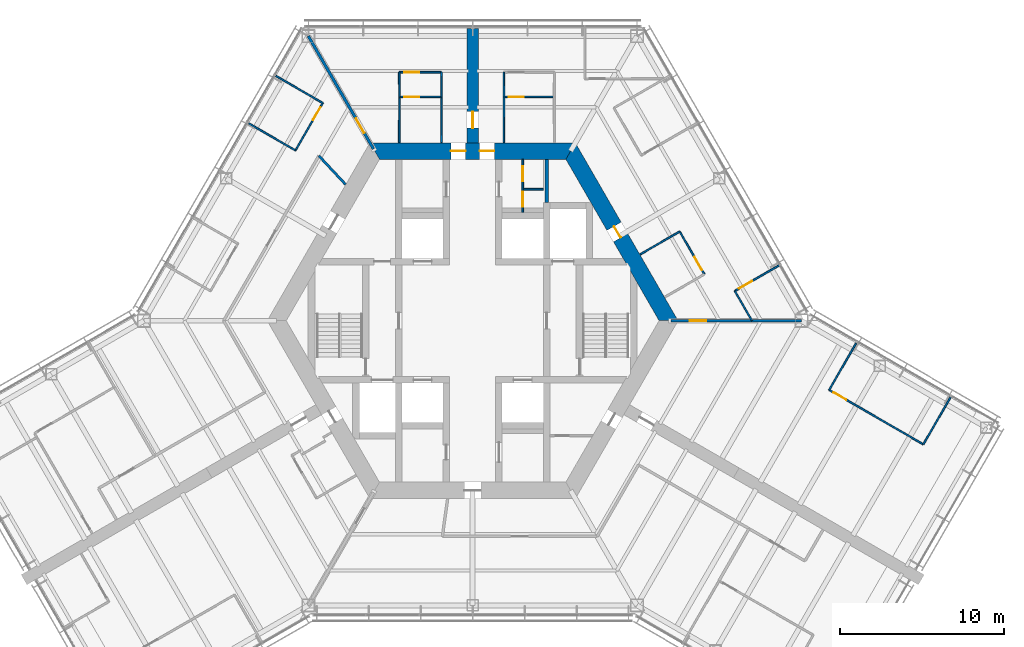
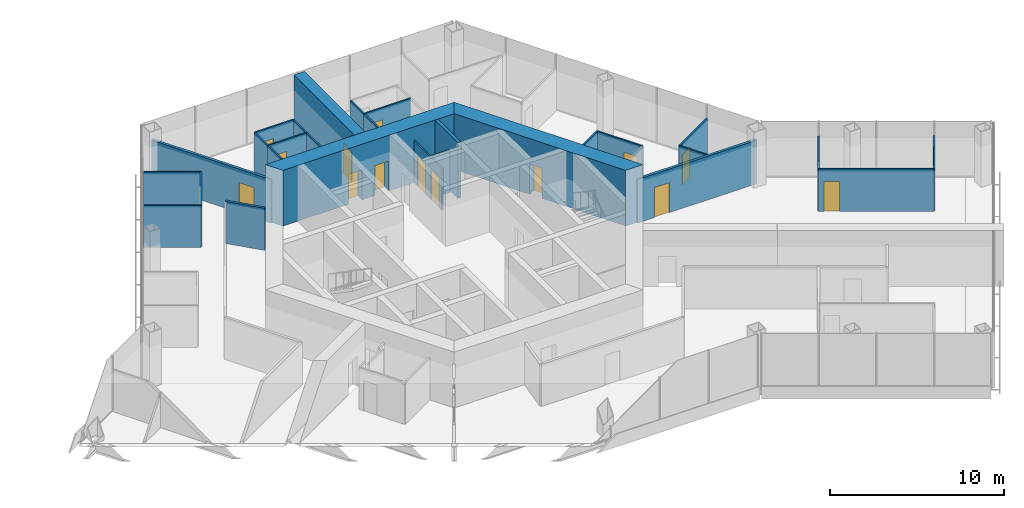
# One storey, part 14 of 18: 28 walls, 15 doors, 15 openings.
"""IFC4 building model written with IfcOpenShell, lengths in metres."""

from ifc_helpers import new_model, si_unit, direction, frame, frame_2d, origin, place, context, subcontext, project, spatial, polyline, rectangle, outline, extrude, material, layer, layer_set, type_object, element, fill, save


model = new_model("IFC4")

# Units and contexts
model_context = context("Model", 3, precision=1e-05, world=origin(), true_north=direction((0.0, 1.0)))
body_context = subcontext(model_context, "Body", "Model", "MODEL_VIEW")
ifc_project = project(units=[si_unit("LENGTHUNIT", "METRE"), si_unit("AREAUNIT", "SQUARE_METRE"), si_unit("VOLUMEUNIT", "CUBIC_METRE"), si_unit("PLANEANGLEUNIT", "RADIAN"), si_unit("MASSUNIT", "GRAM", prefix="KILO")], contexts=[model_context])

# Site, building, storey
site_placement = place(None, origin())
site = spatial("IfcSite", under=ifc_project, at=site_placement, CompositionType="ELEMENT")
building_placement = place(site_placement, origin())
building = spatial("IfcBuilding", under=site, at=building_placement, Name="Kasaneha Research Tower", CompositionType="ELEMENT")
storey_placement = place(building_placement, frame((0.0, 0.0, 148.699951171875)))
storey = spatial("IfcBuildingStorey", under=building, at=storey_placement, Name="L37", CompositionType="ELEMENT", Elevation=148.699951171875)

# Wall, opening, door
ifc_material_1 = material(Name="Concrete Fc70", Category="concrete")
ifc_layer_1 = layer(ifc_material_1, 1.0)
ifc_layer_set_1 = layer_set([ifc_layer_1], Name="Core wall 1000 Fc70")
wall_type_1 = type_object("IfcWallType", Name="Core wall 1000 Fc70", PredefinedType="SHEAR", material=ifc_layer_set_1)
wall_1_placement = place(storey_placement, frame((11.92236328125, 0.0, 0.0), z_axis=(0.0, 0.0, 1.0), x_axis=(-0.500004296715, 0.866022923061, 0.0)))
wall_1 = element("IfcWall", 1, at=wall_1_placement, inside=storey, type_object=wall_type_1, Name="Core wall 030 L37", PredefinedType="SHEAR", context=body_context, shape_type="SweptSolid", body=[
    extrude(outline(polyline([(-0.28857421875, -0.5), (5.83544921875, -0.5), (6.635498046875, -0.5), (12.2109375, -0.5), (11.6337890625, 0.5), (6.635498046875, 0.5), (5.83544921875, 0.5), (0.28857421875, 0.5), (-0.28857421875, -0.5)])), origin(), (0.0, 0.0, 1.0), 3.900146484375),
])
opening_1_placement = place(wall_1_placement, frame((5.83544921875, 0.0, 0.0)))
opening_1 = element("IfcOpeningElement", 2, at=opening_1_placement, cuts=wall_1, Name="Opening L37-D04", PredefinedType="OPENING", context=body_context, shape_type="SweptSolid", body=[
    extrude(rectangle(XDim=0.800048828125, YDim=2.10009765625, at=frame_2d((0.39990234375, 1.050048828125))), frame((0.0, 0.510009765625, 0.0), z_axis=(0.0, -1.0, 0.0), x_axis=(1.0, 0.0, 0.0)), (0.0, 0.0, 1.0), 1.02001953125),
])
ifc_material_2 = material(Name="Steel", Category="steel")
door_type_1 = type_object("IfcDoorType", Name="Riser access door FD60 800x2100", OperationType="NOTDEFINED", PredefinedType="DOOR", material=ifc_material_2)
door_1_placement = place(opening_1_placement, origin())
door_1 = element("IfcDoor", 3, at=door_1_placement, inside=storey, type_object=door_type_1, Name="Pipe riser door L37-D04", OperationType="SINGLE_SWING_RIGHT", OverallHeight=2.10009765625, OverallWidth=0.800048828125, PredefinedType="DOOR", context=body_context, shape_type="SweptSolid", body=[
    extrude(rectangle(XDim=0.800048828125, YDim=2.10009765625, at=frame_2d((0.39990234375, 1.050048828125))), frame((0.0, 0.02490234375, 0.0), z_axis=(0.0, -1.0, 0.0), x_axis=(1.0, 0.0, 0.0)), (0.0, 0.0, 1.0), 0.050048828125),
])
fill(opening_1, door_1)

# Wall, openings, doors
wall_2_placement = place(storey_placement, frame((5.961181640625, 10.324951171875, 0.0), z_axis=(0.0, 0.0, 1.0), x_axis=(-1.0, 0.0, 0.0)))
wall_2 = element("IfcWall", 4, at=wall_2_placement, inside=storey, type_object=wall_type_1, Name="Core wall 090 L37", PredefinedType="SHEAR", context=body_context, shape_type="SweptSolid", body=[
    extrude(outline(polyline([(-0.28857421875, -0.5), (4.63623046875, -0.5), (5.5361328125, -0.5), (6.38623046875, -0.5), (7.2861328125, -0.5), (12.2109375, -0.5), (11.6337890625, 0.5), (7.2861328125, 0.5), (6.38623046875, 0.5), (5.5361328125, 0.5), (4.63623046875, 0.5), (0.28857421875, 0.5), (-0.28857421875, -0.5)])), origin(), (0.0, 0.0, 1.0), 3.900146484375),
])
opening_2_placement = place(wall_2_placement, frame((6.38623046875, 0.0, 0.0)))
opening_2 = element("IfcOpeningElement", 5, at=opening_2_placement, cuts=wall_2, Name="Opening L37-D01", PredefinedType="OPENING", context=body_context, shape_type="SweptSolid", body=[
    extrude(rectangle(XDim=0.89990234375, YDim=2.10009765625, at=frame_2d((0.449951171875, 1.050048828125))), frame((0.0, 0.510009765625, 0.0), z_axis=(0.0, -1.0, 0.0), x_axis=(1.0, 0.0, 0.0)), (0.0, 0.0, 1.0), 1.02001953125),
])
opening_3_placement = place(wall_2_placement, frame((4.63623046875, 0.0, 0.0)))
opening_3 = element("IfcOpeningElement", 6, at=opening_3_placement, cuts=wall_2, Name="Opening L37-D02", PredefinedType="OPENING", context=body_context, shape_type="SweptSolid", body=[
    extrude(rectangle(XDim=0.89990234375, YDim=2.10009765625, at=frame_2d((0.449951171875, 1.050048828125))), frame((0.0, 0.510009765625, 0.0), z_axis=(0.0, -1.0, 0.0), x_axis=(1.0, 0.0, 0.0)), (0.0, 0.0, 1.0), 1.02001953125),
])
ifc_material_3 = material(Name="Steel", Category="steel")
door_type_2 = type_object("IfcDoorType", Name="Toilet door FD20 900x2100", OperationType="NOTDEFINED", PredefinedType="DOOR", material=ifc_material_3)
door_2_placement = place(opening_2_placement, origin())
door_2 = element("IfcDoor", 7, at=door_2_placement, inside=storey, type_object=door_type_2, Name="Core door north 1 L37-D01", OperationType="SINGLE_SWING_RIGHT", OverallHeight=2.10009765625, OverallWidth=0.89990234375, PredefinedType="DOOR", context=body_context, shape_type="SweptSolid", body=[
    extrude(rectangle(XDim=0.89990234375, YDim=2.10009765625, at=frame_2d((0.449951171875, 1.050048828125))), frame((0.0, 0.02490234375, 0.0), z_axis=(0.0, -1.0, 0.0), x_axis=(1.0, 0.0, 0.0)), (0.0, 0.0, 1.0), 0.050048828125),
])
fill(opening_2, door_2)
door_3_placement = place(opening_3_placement, origin())
door_3 = element("IfcDoor", 8, at=door_3_placement, inside=storey, type_object=door_type_2, Name="Core door north 2 L37-D02", OperationType="SINGLE_SWING_LEFT", OverallHeight=2.10009765625, OverallWidth=0.89990234375, PredefinedType="DOOR", context=body_context, shape_type="SweptSolid", body=[
    extrude(rectangle(XDim=0.89990234375, YDim=2.10009765625, at=frame_2d((0.449951171875, 1.050048828125))), frame((0.0, 0.02490234375, 0.0), z_axis=(0.0, -1.0, 0.0), x_axis=(1.0, 0.0, 0.0)), (0.0, 0.0, 1.0), 0.050048828125),
])
fill(opening_3, door_3)

ifc_material_4 = material(Name="Gypsum board on steel studs, one layer each side", Category="steel")
ifc_layer_2 = layer(ifc_material_4, 0.10009765625)
ifc_layer_set_2 = layer_set([ifc_layer_2], Name="Office partition 100")
wall_type_2 = type_object("IfcWallType", Name="Office partition 100", PredefinedType="PARTITIONING", material=ifc_layer_set_2)
wall_3_placement = place(storey_placement, frame((3.050048828125, 6.60009765625, 0.0), z_axis=(0.0, 0.0, 1.0), x_axis=(0.0, 1.0, 0.0)))
wall_3 = element("IfcWall", 9, at=wall_3_placement, inside=storey, type_object=wall_type_2, Name="Office partition TBF1 L37", PredefinedType="PARTITIONING", context=body_context, shape_type="SweptSolid", body=[
    extrude(rectangle(XDim=3.224853515625, YDim=0.10009765625, at=frame_2d((1.6123046875, 0.0))), origin(), (0.0, 0.0, 1.0), 2.949951171875),
])
opening_4_placement = place(wall_3_placement, frame((1.887451171875, 0.0, 0.0)))
opening_4 = element("IfcOpeningElement", 10, at=opening_4_placement, cuts=wall_3, Name="Opening L37-D20", PredefinedType="OPENING", context=body_context, shape_type="SweptSolid", body=[
    extrude(rectangle(XDim=0.89990234375, YDim=2.10009765625, at=frame_2d((0.449951171875, 1.050048828125))), frame((0.0, 0.06005859375, 0.0), z_axis=(0.0, -1.0, 0.0), x_axis=(1.0, 0.0, 0.0)), (0.0, 0.0, 1.0), 0.1201171875),
])
opening_5_placement = place(wall_3_placement, frame((0.35009765625, 0.0, 0.0)))
opening_5 = element("IfcOpeningElement", 11, at=opening_5_placement, cuts=wall_3, Name="Opening L37-D21", PredefinedType="OPENING", context=body_context, shape_type="SweptSolid", body=[
    extrude(rectangle(XDim=0.89990234375, YDim=2.10009765625, at=frame_2d((0.449951171875, 1.050048828125))), frame((0.0, 0.06005859375, 0.0), z_axis=(0.0, -1.0, 0.0), x_axis=(1.0, 0.0, 0.0)), (0.0, 0.0, 1.0), 0.1201171875),
])
ifc_material_5 = material(Name="Steel", Category="steel")
door_type_3 = type_object("IfcDoorType", Name="Toilet lobby door FD30 900x2100", OperationType="NOTDEFINED", PredefinedType="DOOR", material=ifc_material_5)
door_4_placement = place(opening_4_placement, origin())
door_4 = element("IfcDoor", 12, at=door_4_placement, inside=storey, type_object=door_type_3, Name="Women's WC door L37-D20", OperationType="SINGLE_SWING_RIGHT", OverallHeight=2.10009765625, OverallWidth=0.89990234375, PredefinedType="DOOR", context=body_context, shape_type="SweptSolid", body=[
    extrude(rectangle(XDim=0.89990234375, YDim=2.10009765625, at=frame_2d((0.449951171875, 1.050048828125))), frame((0.0, 0.02490234375, 0.0), z_axis=(0.0, -1.0, 0.0), x_axis=(1.0, 0.0, 0.0)), (0.0, 0.0, 1.0), 0.050048828125),
])
fill(opening_4, door_4)
door_5_placement = place(opening_5_placement, origin())
door_5 = element("IfcDoor", 13, at=door_5_placement, inside=storey, type_object=door_type_3, Name="Cleaner's store door L37-D21", OperationType="SINGLE_SWING_RIGHT", OverallHeight=2.10009765625, OverallWidth=0.89990234375, PredefinedType="DOOR", context=body_context, shape_type="SweptSolid", body=[
    extrude(rectangle(XDim=0.89990234375, YDim=2.10009765625, at=frame_2d((0.449951171875, 1.050048828125))), frame((0.0, 0.02490234375, 0.0), z_axis=(0.0, -1.0, 0.0), x_axis=(1.0, 0.0, 0.0)), (0.0, 0.0, 1.0), 0.050048828125),
])
fill(opening_5, door_5)

# Wall
wall_4_placement = place(storey_placement, frame((3.10009765625, 8.0, 0.0), z_axis=(0.0, 0.0, 1.0), x_axis=(1.0, 0.0, 0.0)))
element("IfcWall", 14, at=wall_4_placement, inside=storey, type_object=wall_type_2, Name="Office partition TBF2 L37", PredefinedType="PARTITIONING", context=body_context, shape_type="SweptSolid", body=[
    extrude(rectangle(XDim=1.199951171875, YDim=0.10009765625, at=frame_2d((0.60009765625, 0.0))), origin(), (0.0, 0.0, 1.0), 2.949951171875),
])

# Wall, opening, door
wall_5_placement = place(storey_placement, frame((1.89990234375, 13.6201171875, 0.0), z_axis=(0.0, 0.0, 1.0), x_axis=(1.0, 0.0, 0.0)))
wall_5 = element("IfcWall", 15, at=wall_5_placement, inside=storey, type_object=wall_type_2, Name="Office partition FAE01 L37", PredefinedType="PARTITIONING", context=body_context, shape_type="SweptSolid", body=[
    extrude(rectangle(XDim=3.071044921875, YDim=0.10009765625, at=frame_2d((1.53564453125, 0.0))), origin(), (0.0, 0.0, 1.0), 2.949951171875),
])
opening_6_placement = place(wall_5_placement, frame((0.300048828125, 0.0, 0.0)))
opening_6 = element("IfcOpeningElement", 16, at=opening_6_placement, cuts=wall_5, Name="Opening L37-D26", PredefinedType="OPENING", context=body_context, shape_type="SweptSolid", body=[
    extrude(rectangle(XDim=0.89990234375, YDim=2.10009765625, at=frame_2d((0.449951171875, 1.050048828125))), frame((0.0, 0.06005859375, 0.0), z_axis=(0.0, -1.0, 0.0), x_axis=(1.0, 0.0, 0.0)), (0.0, 0.0, 1.0), 0.1201171875),
])
door_6_placement = place(opening_6_placement, origin())
door_6 = element("IfcDoor", 17, at=door_6_placement, inside=storey, type_object=door_type_3, Name="Women's WC door L37-D26", OperationType="SINGLE_SWING_LEFT", OverallHeight=2.10009765625, OverallWidth=0.89990234375, PredefinedType="DOOR", context=body_context, shape_type="SweptSolid", body=[
    extrude(rectangle(XDim=0.89990234375, YDim=2.10009765625, at=frame_2d((0.449951171875, 1.050048828125))), frame((0.0, 0.02490234375, 0.0), z_axis=(0.0, -1.0, 0.0), x_axis=(1.0, 0.0, 0.0)), (0.0, 0.0, 1.0), 0.050048828125),
])
fill(opening_6, door_6)

# Walls
wall_6_placement = place(storey_placement, frame((1.89990234375, 10.844970703125, 0.0), z_axis=(0.0, 0.0, 1.0), x_axis=(0.001668567099, 0.999998607941, 0.0)))
element("IfcWall", 18, at=wall_6_placement, inside=storey, type_object=wall_type_2, Name="Office partition FAE02 L37", PredefinedType="PARTITIONING", context=body_context, shape_type="SweptSolid", body=[
    extrude(rectangle(XDim=2.780029296875, YDim=0.10009765625, at=frame_2d((1.39013671875, 0.0))), origin(), (0.0, 0.0, 1.0), 2.949951171875),
])
wall_7_placement = place(storey_placement, frame((1.904541015625, 13.625, 0.0), z_axis=(0.0, 0.0, 1.0), x_axis=(-0.00309243313, 0.999995218417, 0.0)))
element("IfcWall", 19, at=wall_7_placement, inside=storey, type_object=wall_type_2, Name="Office partition FAE05 L37", PredefinedType="PARTITIONING", context=body_context, shape_type="SweptSolid", body=[
    extrude(rectangle(XDim=1.5, YDim=0.10009765625, at=frame_2d((0.75, 0.0))), origin(), (0.0, 0.0, 1.0), 2.949951171875),
])
wall_8_placement = place(storey_placement, frame((10.19189453125, 4.036865234375, 0.0), z_axis=(0.0, 0.0, 1.0), x_axis=(0.866018876994, 0.500011304563, 0.0)))
element("IfcWall", 20, at=wall_8_placement, inside=storey, type_object=wall_type_2, Name="Office partition FAE07 L37", PredefinedType="PARTITIONING", context=body_context, shape_type="SweptSolid", body=[
    extrude(rectangle(XDim=2.7802734375, YDim=0.10009765625, at=frame_2d((1.39013671875, 0.0))), origin(), (0.0, 0.0, 1.0), 2.949951171875),
])

# Wall, opening, door
wall_9_placement = place(storey_placement, frame((12.599609375, 5.427001953125, 0.0), z_axis=(0.0, 0.0, 1.0), x_axis=(0.499990139034, -0.866031096941, 0.0)))
wall_9 = element("IfcWall", 21, at=wall_9_placement, inside=storey, type_object=wall_type_2, Name="Office partition FAE08 L37", PredefinedType="PARTITIONING", context=body_context, shape_type="SweptSolid", body=[
    extrude(rectangle(XDim=3.0, YDim=0.10009765625, at=frame_2d((1.5, 0.0))), origin(), (0.0, 0.0, 1.0), 2.949951171875),
])
opening_7_placement = place(wall_9_placement, frame((1.800048828125, 0.0, 0.0)))
opening_7 = element("IfcOpeningElement", 22, at=opening_7_placement, cuts=wall_9, Name="Opening L37-D28", PredefinedType="OPENING", context=body_context, shape_type="SweptSolid", body=[
    extrude(rectangle(XDim=0.89990234375, YDim=2.10009765625, at=frame_2d((0.449951171875, 1.050048828125))), frame((0.0, 0.06005859375, 0.0), z_axis=(0.0, -1.0, 0.0), x_axis=(1.0, 0.0, 0.0)), (0.0, 0.0, 1.0), 0.1201171875),
])
ifc_material_6 = material(Name="Timber veneer", Category="wood")
door_type_4 = type_object("IfcDoorType", Name="Office door 900x2100", OperationType="SINGLE_SWING_LEFT", PredefinedType="DOOR", material=ifc_material_6)
door_7_placement = place(opening_7_placement, origin())
door_7 = element("IfcDoor", 23, at=door_7_placement, inside=storey, type_object=door_type_4, Name="Pantry door L37-D28", OperationType="SINGLE_SWING_RIGHT", OverallHeight=2.10009765625, OverallWidth=0.89990234375, PredefinedType="DOOR", context=body_context, shape_type="SweptSolid", body=[
    extrude(rectangle(XDim=0.89990234375, YDim=2.10009765625, at=frame_2d((0.449951171875, 1.050048828125))), frame((0.0, 0.02490234375, 0.0), z_axis=(0.0, -1.0, 0.0), x_axis=(1.0, 0.0, 0.0)), (0.0, 0.0, 1.0), 0.050048828125),
])
fill(opening_7, door_7)

wall_10_placement = place(storey_placement, frame((15.952392578125, 1.810546875, 0.0), z_axis=(0.0, 0.0, 1.0), x_axis=(0.866036212918, 0.499981277565, 0.0)))
wall_10 = element("IfcWall", 24, at=wall_10_placement, inside=storey, type_object=wall_type_2, Name="Office partition FAE14 L37", PredefinedType="PARTITIONING", context=body_context, shape_type="SweptSolid", body=[
    extrude(rectangle(XDim=3.1298828125, YDim=0.10009765625, at=frame_2d((1.56494140625, 0.0))), origin(), (0.0, 0.0, 1.0), 2.949951171875),
])
opening_8_placement = place(wall_10_placement, frame((0.300048828125, 0.0, 0.0)))
opening_8 = element("IfcOpeningElement", 25, at=opening_8_placement, cuts=wall_10, Name="Opening L37-D30", PredefinedType="OPENING", context=body_context, shape_type="SweptSolid", body=[
    extrude(rectangle(XDim=0.89990234375, YDim=2.10009765625, at=frame_2d((0.449951171875, 1.050048828125))), frame((0.0, 0.06005859375, 0.0), z_axis=(0.0, -1.0, 0.0), x_axis=(1.0, 0.0, 0.0)), (0.0, 0.0, 1.0), 0.1201171875),
])
door_8_placement = place(opening_8_placement, origin())
door_8 = element("IfcDoor", 26, at=door_8_placement, inside=storey, type_object=door_type_4, Name="Project room door L37-D30", OperationType="SINGLE_SWING_LEFT", OverallHeight=2.10009765625, OverallWidth=0.89990234375, PredefinedType="DOOR", context=body_context, shape_type="SweptSolid", body=[
    extrude(rectangle(XDim=0.89990234375, YDim=2.10009765625, at=frame_2d((0.449951171875, 1.050048828125))), frame((0.0, 0.02490234375, 0.0), z_axis=(0.0, -1.0, 0.0), x_axis=(1.0, 0.0, 0.0)), (0.0, 0.0, 1.0), 0.050048828125),
])
fill(opening_8, door_8)

# Wall
wall_11_placement = place(storey_placement, frame((16.986083984375, 0.02001953125, 0.0), z_axis=(0.0, 0.0, 1.0), x_axis=(-0.499974592989, 0.866040072032, 0.0)))
element("IfcWall", 27, at=wall_11_placement, inside=storey, type_object=wall_type_2, Name="Office partition FAE15 L37", PredefinedType="PARTITIONING", context=body_context, shape_type="SweptSolid", body=[
    extrude(rectangle(XDim=2.0673828125, YDim=0.10009765625, at=frame_2d((1.03369140625, 0.0))), origin(), (0.0, 0.0, 1.0), 2.949951171875),
])

# Wall, opening, door
wall_12_placement = place(storey_placement, frame((-4.465087890625, 13.6201171875, 0.0), z_axis=(0.0, 0.0, 1.0), x_axis=(1.0, 0.0, 0.0)))
wall_12 = element("IfcWall", 28, at=wall_12_placement, inside=storey, type_object=wall_type_2, Name="Office partition FAW01 L37", PredefinedType="PARTITIONING", context=body_context, shape_type="SweptSolid", body=[
    extrude(rectangle(XDim=2.565185546875, YDim=0.10009765625, at=frame_2d((1.28271484375, 0.0))), origin(), (0.0, 0.0, 1.0), 2.949951171875),
])
opening_9_placement = place(wall_12_placement, frame((0.300048828125, 0.0, 0.0)))
opening_9 = element("IfcOpeningElement", 29, at=opening_9_placement, cuts=wall_12, Name="Opening L37-D32", PredefinedType="OPENING", context=body_context, shape_type="SweptSolid", body=[
    extrude(rectangle(XDim=0.89990234375, YDim=2.10009765625, at=frame_2d((0.449951171875, 1.050048828125))), frame((0.0, 0.06005859375, 0.0), z_axis=(0.0, -1.0, 0.0), x_axis=(1.0, 0.0, 0.0)), (0.0, 0.0, 1.0), 0.1201171875),
])
door_9_placement = place(opening_9_placement, origin())
door_9 = element("IfcDoor", 30, at=door_9_placement, inside=storey, type_object=door_type_3, Name="Men's WC door L37-D32", OperationType="SINGLE_SWING_LEFT", OverallHeight=2.10009765625, OverallWidth=0.89990234375, PredefinedType="DOOR", context=body_context, shape_type="SweptSolid", body=[
    extrude(rectangle(XDim=0.89990234375, YDim=2.10009765625, at=frame_2d((0.449951171875, 1.050048828125))), frame((0.0, 0.02490234375, 0.0), z_axis=(0.0, -1.0, 0.0), x_axis=(1.0, 0.0, 0.0)), (0.0, 0.0, 1.0), 0.050048828125),
])
fill(opening_9, door_9)

# Walls
for number, where, z_axis, x_axis, name in (
    (31, (-4.465087890625, 10.844970703125, 0.0), (0.0, 0.0, 1.0), (0.001668567099, 0.999998607941, 0.0), "Office partition FAW02 L37"),
    (32, (-1.90478515625, 13.625, 0.0), (0.0, 0.0, 1.0), (0.001756386155, -0.999998457553, 0.0), "Office partition FAW03 L37"),
):
    element("IfcWall", number, at=place(storey_placement, frame(where, z_axis=z_axis, x_axis=x_axis)), inside=storey, type_object=wall_type_2, Name=name, PredefinedType="PARTITIONING", context=body_context, shape_type="SweptSolid", body=[
        extrude(rectangle(XDim=2.780029296875, YDim=0.10009765625, at=frame_2d((1.39013671875, 0.0))), origin(), (0.0, 0.0, 1.0), 2.949951171875),
    ])

# Wall, opening, door
wall_13_placement = place(storey_placement, frame((-4.465087890625, 15.125, 0.0), z_axis=(0.0, 0.0, 1.0), x_axis=(1.0, 0.0, 0.0)))
wall_13 = element("IfcWall", 33, at=wall_13_placement, inside=storey, type_object=wall_type_2, Name="Office partition FAW04 L37", PredefinedType="PARTITIONING", context=body_context, shape_type="SweptSolid", body=[
    extrude(rectangle(XDim=2.565185546875, YDim=0.10009765625, at=frame_2d((1.28271484375, 0.0))), origin(), (0.0, 0.0, 1.0), 2.949951171875),
])
opening_10_placement = place(wall_13_placement, frame((0.300048828125, 0.0, 0.0)))
opening_10 = element("IfcOpeningElement", 34, at=opening_10_placement, cuts=wall_13, Name="Opening L37-D33", PredefinedType="OPENING", context=body_context, shape_type="SweptSolid", body=[
    extrude(rectangle(XDim=0.89990234375, YDim=2.10009765625, at=frame_2d((0.449951171875, 1.050048828125))), frame((0.0, 0.06005859375, 0.0), z_axis=(0.0, -1.0, 0.0), x_axis=(1.0, 0.0, 0.0)), (0.0, 0.0, 1.0), 0.1201171875),
])
door_10_placement = place(opening_10_placement, origin())
door_10 = element("IfcDoor", 35, at=door_10_placement, inside=storey, type_object=door_type_3, Name="Toilet lobby door L37-D33", OperationType="SINGLE_SWING_LEFT", OverallHeight=2.10009765625, OverallWidth=0.89990234375, PredefinedType="DOOR", context=body_context, shape_type="SweptSolid", body=[
    extrude(rectangle(XDim=0.89990234375, YDim=2.10009765625, at=frame_2d((0.449951171875, 1.050048828125))), frame((0.0, 0.02490234375, 0.0), z_axis=(0.0, -1.0, 0.0), x_axis=(1.0, 0.0, 0.0)), (0.0, 0.0, 1.0), 0.050048828125),
])
fill(opening_10, door_10)

# Walls
for number, where, z_axis, x_axis, name in (
    (36, (-4.46044921875, 13.625, 0.0), (0.0, 0.0, 1.0), (-0.00309243313, 0.999995218417, 0.0), "Office partition FAW05 L37"),
    (37, (-1.89990234375, 15.125, 0.0), (0.0, 0.0, 1.0), (-0.003255191087, -0.999994701851, 0.0), "Office partition FAW06 L37"),
):
    element("IfcWall", number, at=place(storey_placement, frame(where, z_axis=z_axis, x_axis=x_axis)), inside=storey, type_object=wall_type_2, Name=name, PredefinedType="PARTITIONING", context=body_context, shape_type="SweptSolid", body=[
        extrude(rectangle(XDim=1.5, YDim=0.10009765625, at=frame_2d((0.75, 0.0))), origin(), (0.0, 0.0, 1.0), 2.949951171875),
    ])
wall_14_placement = place(storey_placement, frame((-11.979736328125, 14.901611328125, 0.0), z_axis=(0.0, 0.0, 1.0), x_axis=(0.866052736899, -0.499952654668, 0.0)))
element("IfcWall", 38, at=wall_14_placement, inside=storey, type_object=wall_type_2, Name="Office partition FBN07 L37", PredefinedType="PARTITIONING", context=body_context, shape_type="SweptSolid", body=[
    extrude(rectangle(XDim=3.304931640625, YDim=0.10009765625, at=frame_2d((1.65234375, 0.0))), origin(), (0.0, 0.0, 1.0), 2.949951171875),
])
wall_15_placement = place(storey_placement, frame((-10.782958984375, 10.364501953125, 0.0), z_axis=(0.0, 0.0, 1.0), x_axis=(-0.866021955858, 0.500005971936, 0.0)))
element("IfcWall", 39, at=wall_15_placement, inside=storey, type_object=wall_type_2, Name="Office partition FBN08 L37", PredefinedType="PARTITIONING", context=body_context, shape_type="SweptSolid", body=[
    extrude(rectangle(XDim=3.27978515625, YDim=0.10009765625, at=frame_2d((1.639892578125, 0.0))), origin(), (0.0, 0.0, 1.0), 2.949951171875),
])

# Wall, opening, door
wall_16_placement = place(storey_placement, frame((-9.117431640625, 13.249267578125, 0.0), z_axis=(0.0, 0.0, 1.0), x_axis=(-0.500001606164, -0.866024476463, 0.0)))
wall_16 = element("IfcWall", 40, at=wall_16_placement, inside=storey, type_object=wall_type_2, Name="Office partition FBN09 L37", PredefinedType="PARTITIONING", context=body_context, shape_type="SweptSolid", body=[
    extrude(rectangle(XDim=3.3310546875, YDim=0.10009765625, at=frame_2d((1.66552734375, 0.0))), origin(), (0.0, 0.0, 1.0), 2.949951171875),
])
opening_11_placement = place(wall_16_placement, frame((0.300048828125, 0.0, 0.0)))
opening_11 = element("IfcOpeningElement", 41, at=opening_11_placement, cuts=wall_16, Name="Opening L37-D36", PredefinedType="OPENING", context=body_context, shape_type="SweptSolid", body=[
    extrude(rectangle(XDim=0.89990234375, YDim=2.10009765625, at=frame_2d((0.449951171875, 1.050048828125))), frame((0.0, 0.06005859375, 0.0), z_axis=(0.0, -1.0, 0.0), x_axis=(1.0, 0.0, 0.0)), (0.0, 0.0, 1.0), 0.1201171875),
])
door_11_placement = place(opening_11_placement, origin())
door_11 = element("IfcDoor", 42, at=door_11_placement, inside=storey, type_object=door_type_4, Name="Interview room door L37-D36", OperationType="SINGLE_SWING_LEFT", OverallHeight=2.10009765625, OverallWidth=0.89990234375, PredefinedType="DOOR", context=body_context, shape_type="SweptSolid", body=[
    extrude(rectangle(XDim=0.89990234375, YDim=2.10009765625, at=frame_2d((0.449951171875, 1.050048828125))), frame((0.0, 0.02490234375, 0.0), z_axis=(0.0, -1.0, 0.0), x_axis=(1.0, 0.0, 0.0)), (0.0, 0.0, 1.0), 0.050048828125),
])
fill(opening_11, door_11)

# Wall
wall_17_placement = place(storey_placement, frame((21.692138671875, -4.210205078125, 0.0), z_axis=(0.0, 0.0, 1.0), x_axis=(0.50002956483, 0.866008333849, 0.0)))
element("IfcWall", 43, at=wall_17_placement, inside=storey, type_object=wall_type_2, Name="Office partition FCE01 L37", PredefinedType="PARTITIONING", context=body_context, shape_type="SweptSolid", body=[
    extrude(rectangle(XDim=3.280029296875, YDim=0.10009765625, at=frame_2d((1.64013671875, 0.0))), origin(), (0.0, 0.0, 1.0), 2.949951171875),
])

# Wall, opening, door
wall_18_placement = place(storey_placement, frame((27.425048828125, -7.52001953125, 0.0), z_axis=(0.0, 0.0, 1.0), x_axis=(-0.866030817826, 0.499990622488, 0.0)))
wall_18 = element("IfcWall", 44, at=wall_18_placement, inside=storey, type_object=wall_type_2, Name="Office partition FCE02 L37", PredefinedType="PARTITIONING", context=body_context, shape_type="SweptSolid", body=[
    extrude(rectangle(XDim=6.619873046875, YDim=0.10009765625, at=frame_2d((3.31005859375, 0.0))), origin(), (0.0, 0.0, 1.0), 2.949951171875),
])
opening_12_placement = place(wall_18_placement, frame((5.419677734375, 0.0, 0.0)))
opening_12 = element("IfcOpeningElement", 45, at=opening_12_placement, cuts=wall_18, Name="Opening L37-D43", PredefinedType="OPENING", context=body_context, shape_type="SweptSolid", body=[
    extrude(rectangle(XDim=0.89990234375, YDim=2.10009765625, at=frame_2d((0.449951171875, 1.050048828125))), frame((0.0, 0.06005859375, 0.0), z_axis=(0.0, -1.0, 0.0), x_axis=(1.0, 0.0, 0.0)), (0.0, 0.0, 1.0), 0.1201171875),
])
door_12_placement = place(opening_12_placement, origin())
door_12 = element("IfcDoor", 46, at=door_12_placement, inside=storey, type_object=door_type_4, Name="Project room door L37-D43", OperationType="SINGLE_SWING_RIGHT", OverallHeight=2.10009765625, OverallWidth=0.89990234375, PredefinedType="DOOR", context=body_context, shape_type="SweptSolid", body=[
    extrude(rectangle(XDim=0.89990234375, YDim=2.10009765625, at=frame_2d((0.449951171875, 1.050048828125))), frame((0.0, 0.02490234375, 0.0), z_axis=(0.0, -1.0, 0.0), x_axis=(1.0, 0.0, 0.0)), (0.0, 0.0, 1.0), 0.050048828125),
])
fill(opening_12, door_12)

# Walls
wall_19_placement = place(storey_placement, frame((29.077392578125, -4.65771484375, 0.0), z_axis=(0.0, 0.0, 1.0), x_axis=(-0.499952654668, -0.866052736899, 0.0)))
element("IfcWall", 47, at=wall_19_placement, inside=storey, type_object=wall_type_2, Name="Office partition FCE03 L37", PredefinedType="PARTITIONING", context=body_context, shape_type="SweptSolid", body=[
    extrude(rectangle(XDim=3.304931640625, YDim=0.10009765625, at=frame_2d((1.65234375, 0.0))), origin(), (0.0, 0.0, 1.0), 2.949951171875),
])
ifc_material_7 = material(Name="Concrete block", Category="concrete")
ifc_layer_3 = layer(ifc_material_7, 0.199951171875)
ifc_layer_set_3 = layer_set([ifc_layer_3], Name="Riser enclosure wall 200")
wall_type_3 = type_object("IfcWallType", Name="Riser enclosure wall 200", PredefinedType="STANDARD", material=ifc_layer_set_3)
wall_20_placement = place(storey_placement, frame((4.5, 7.199951171875, 0.0), z_axis=(0.0, 0.0, 1.0), x_axis=(0.0, 1.0, 0.0)))
element("IfcWall", 48, at=wall_20_placement, inside=storey, type_object=wall_type_3, Name="Riser enclosure wall L37", PredefinedType="STANDARD", context=body_context, shape_type="SweptSolid", body=[
    extrude(rectangle(XDim=2.625, YDim=0.199951171875, at=frame_2d((1.3125, 0.0))), origin(), (0.0, 0.0, 1.0), 3.900146484375),
])

# Wall, opening, door
ifc_material_8 = material(Name="Concrete Fc70", Category="concrete")
ifc_layer_4 = layer(ifc_material_8, 0.699951171875)
ifc_layer_set_4 = layer_set([ifc_layer_4], Name="Spine wall 700 Fc70")
wall_type_4 = type_object("IfcWallType", Name="Spine wall 700 Fc70", PredefinedType="SHEAR", material=ifc_layer_set_4)
wall_21_placement = place(storey_placement, frame((0.0, 10.824951171875, 0.0), z_axis=(0.0, 0.0, 1.0), x_axis=(0.0, 1.0, 0.0)))
wall_21 = element("IfcWall", 49, at=wall_21_placement, inside=storey, type_object=wall_type_4, Name="Spine wall A L37", PredefinedType="SHEAR", context=body_context, shape_type="SweptSolid", body=[
    extrude(rectangle(XDim=6.945556640625, YDim=0.699951171875, at=frame_2d((3.47265625, 0.0))), origin(), (0.0, 0.0, 1.0), 3.900146484375),
])
opening_13_placement = place(wall_21_placement, frame((0.89990234375, 0.0, 0.0)))
opening_13 = element("IfcOpeningElement", 50, at=opening_13_placement, cuts=wall_21, Name="Opening L37-D17", PredefinedType="OPENING", context=body_context, shape_type="SweptSolid", body=[
    extrude(rectangle(XDim=1.0, YDim=2.10009765625, at=frame_2d((0.5, 1.050048828125))), frame((0.0, 0.35986328125, 0.0), z_axis=(0.0, -1.0, 0.0), x_axis=(1.0, 0.0, 0.0)), (0.0, 0.0, 1.0), 0.719970703125),
])
ifc_material_9 = material(Name="Steel", Category="steel")
door_type_5 = type_object("IfcDoorType", Name="Specified fire door FD60 1000x2100", OperationType="NOTDEFINED", PredefinedType="DOOR", material=ifc_material_9)
door_13_placement = place(opening_13_placement, origin())
door_13 = element("IfcDoor", 51, at=door_13_placement, inside=storey, type_object=door_type_5, Name="Spine doorway A L37-D17", OperationType="SINGLE_SWING_LEFT", OverallHeight=2.10009765625, OverallWidth=1.0, PredefinedType="DOOR", context=body_context, shape_type="SweptSolid", body=[
    extrude(rectangle(XDim=1.0, YDim=2.10009765625, at=frame_2d((0.5, 1.050048828125))), frame((0.0, 0.02490234375, 0.0), z_axis=(0.0, -1.0, 0.0), x_axis=(1.0, 0.0, 0.0)), (0.0, 0.0, 1.0), 0.050048828125),
])
fill(opening_13, door_13)

# Wall
ifc_material_10 = material(Name="Gypsum board on steel studs, two layers each side", Category="steel")
ifc_layer_5 = layer(ifc_material_10, 0.14990234375)
ifc_layer_set_5 = layer_set([ifc_layer_5], Name="Suite partition 150")
wall_type_5 = type_object("IfcWallType", Name="Suite partition 150", PredefinedType="PARTITIONING", material=ifc_layer_set_5)
wall_22_placement = place(storey_placement, frame((-9.360107421875, 10.03759765625, 0.0), z_axis=(0.0, 0.0, 1.0), x_axis=(0.681997114248, -0.731354863358, 0.0)))
element("IfcWall", 52, at=wall_22_placement, inside=storey, type_object=wall_type_5, Name="Suite partition FBN04 L37", PredefinedType="PARTITIONING", context=body_context, shape_type="SweptSolid", body=[
    extrude(outline(polyline([(0.0, -0.074951171875), (2.384033203125, -0.074951171875), (2.384033203125, 0.0), (2.382080078125, 0.074951171875), (0.0, 0.074951171875), (0.0, -0.074951171875)])), origin(), (0.0, 0.0, 1.0), 2.949951171875),
])

# Wall, opening, door
ifc_material_11 = material(Name="Gypsum board on steel studs, two layers each side", Category="steel")
ifc_layer_6 = layer(ifc_material_11, 0.175048828125)
ifc_layer_set_6 = layer_set([ifc_layer_6], Name="Tenancy fire partition 175")
wall_type_6 = type_object("IfcWallType", Name="Tenancy fire partition 175", PredefinedType="PARTITIONING", material=ifc_layer_set_6)
wall_23_placement = place(storey_placement, frame((12.069580078125, 0.0, 0.0), z_axis=(0.0, 0.0, 1.0), x_axis=(1.0, 0.0, 0.0)))
wall_23 = element("IfcWall", 53, at=wall_23_placement, inside=storey, type_object=wall_type_6, Name="Tenancy fire partition T000 L37", PredefinedType="PARTITIONING", context=body_context, shape_type="SweptSolid", body=[
    extrude(rectangle(XDim=7.930419921875, YDim=0.175048828125, at=frame_2d((3.96533203125, 0.0))), origin(), (0.0, 0.0, 1.0), 3.050048828125),
])
opening_14_placement = place(wall_23_placement, frame((1.1298828125, 0.0, 0.0)))
opening_14 = element("IfcOpeningElement", 54, at=opening_14_placement, cuts=wall_23, Name="Opening L37-D23", PredefinedType="OPENING", context=body_context, shape_type="SweptSolid", body=[
    extrude(rectangle(XDim=1.0, YDim=2.10009765625, at=frame_2d((0.5, 1.050048828125))), frame((0.0, 0.09765625, 0.0), z_axis=(0.0, -1.0, 0.0), x_axis=(1.0, 0.0, 0.0)), (0.0, 0.0, 1.0), 0.195068359375),
])
ifc_material_12 = material(Name="Steel", Category="steel")
door_type_6 = type_object("IfcDoorType", Name="Suite entrance door FD60 1000x2100", OperationType="NOTDEFINED", PredefinedType="DOOR", material=ifc_material_12)
door_14_placement = place(opening_14_placement, origin())
door_14 = element("IfcDoor", 55, at=door_14_placement, inside=storey, type_object=door_type_6, Name="Connecting door L37-D23", OperationType="SINGLE_SWING_LEFT", OverallHeight=2.10009765625, OverallWidth=1.0, PredefinedType="DOOR", context=body_context, shape_type="SweptSolid", body=[
    extrude(rectangle(XDim=1.0, YDim=2.10009765625, at=frame_2d((0.5, 1.050048828125))), frame((0.0, 0.02490234375, 0.0), z_axis=(0.0, -1.0, 0.0), x_axis=(1.0, 0.0, 0.0)), (0.0, 0.0, 1.0), 0.050048828125),
])
fill(opening_14, door_14)

wall_24_placement = place(storey_placement, frame((-6.034912109375, 10.45263671875, 0.0), z_axis=(0.0, 0.0, 1.0), x_axis=(-0.499989830942, 0.866031274813, 0.0)))
wall_24 = element("IfcWall", 56, at=wall_24_placement, inside=storey, type_object=wall_type_6, Name="Tenancy fire partition T120 L37", PredefinedType="PARTITIONING", context=body_context, shape_type="SweptSolid", body=[
    extrude(rectangle(XDim=7.930419921875, YDim=0.175048828125, at=frame_2d((3.96533203125, 0.0))), origin(), (0.0, 0.0, 1.0), 3.050048828125),
])
opening_15_placement = place(wall_24_placement, frame((1.1298828125, 0.0, 0.0)))
opening_15 = element("IfcOpeningElement", 57, at=opening_15_placement, cuts=wall_24, Name="Opening L37-D24", PredefinedType="OPENING", context=body_context, shape_type="SweptSolid", body=[
    extrude(rectangle(XDim=1.0, YDim=2.10009765625, at=frame_2d((0.5, 1.050048828125))), frame((0.0, 0.09765625, 0.0), z_axis=(0.0, -1.0, 0.0), x_axis=(1.0, 0.0, 0.0)), (0.0, 0.0, 1.0), 0.195068359375),
])
door_15_placement = place(opening_15_placement, origin())
door_15 = element("IfcDoor", 58, at=door_15_placement, inside=storey, type_object=door_type_6, Name="Connecting door L37-D24", OperationType="SINGLE_SWING_LEFT", OverallHeight=2.10009765625, OverallWidth=1.0, PredefinedType="DOOR", context=body_context, shape_type="SweptSolid", body=[
    extrude(rectangle(XDim=1.0, YDim=2.10009765625, at=frame_2d((0.5, 1.050048828125))), frame((0.0, 0.02490234375, 0.0), z_axis=(0.0, -1.0, 0.0), x_axis=(1.0, 0.0, 0.0)), (0.0, 0.0, 1.0), 0.050048828125),
])
fill(opening_15, door_15)

save(model, "model.ifc")
